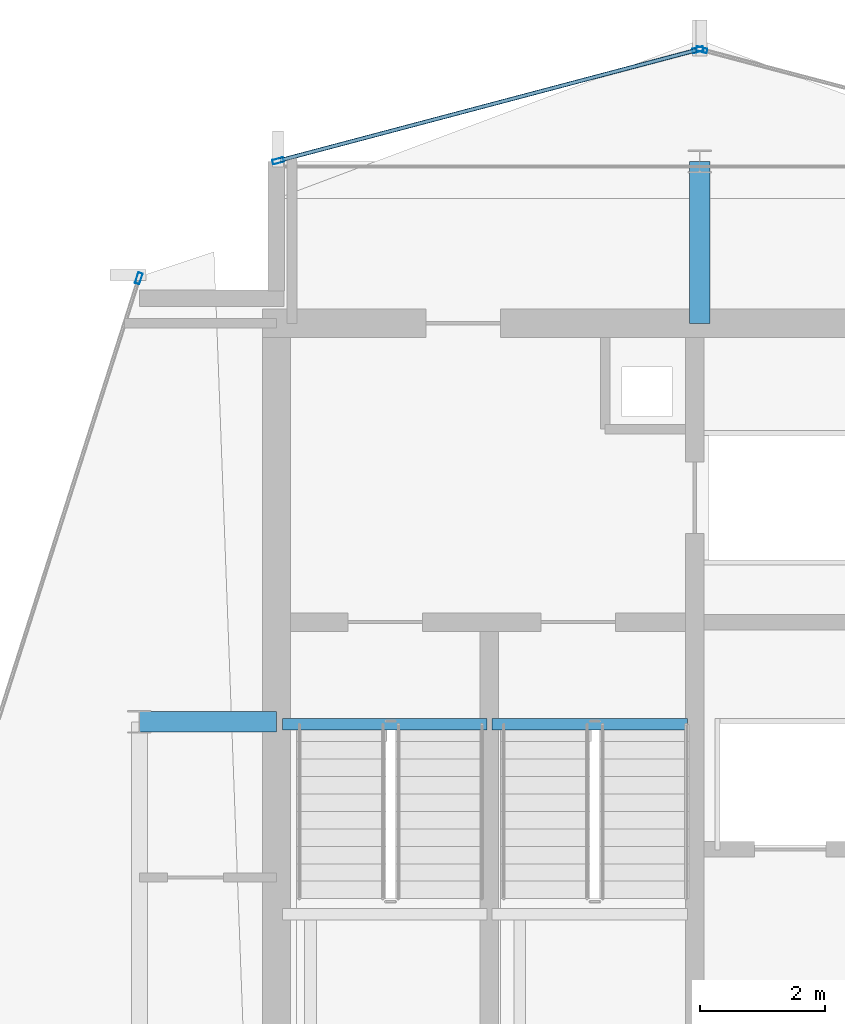
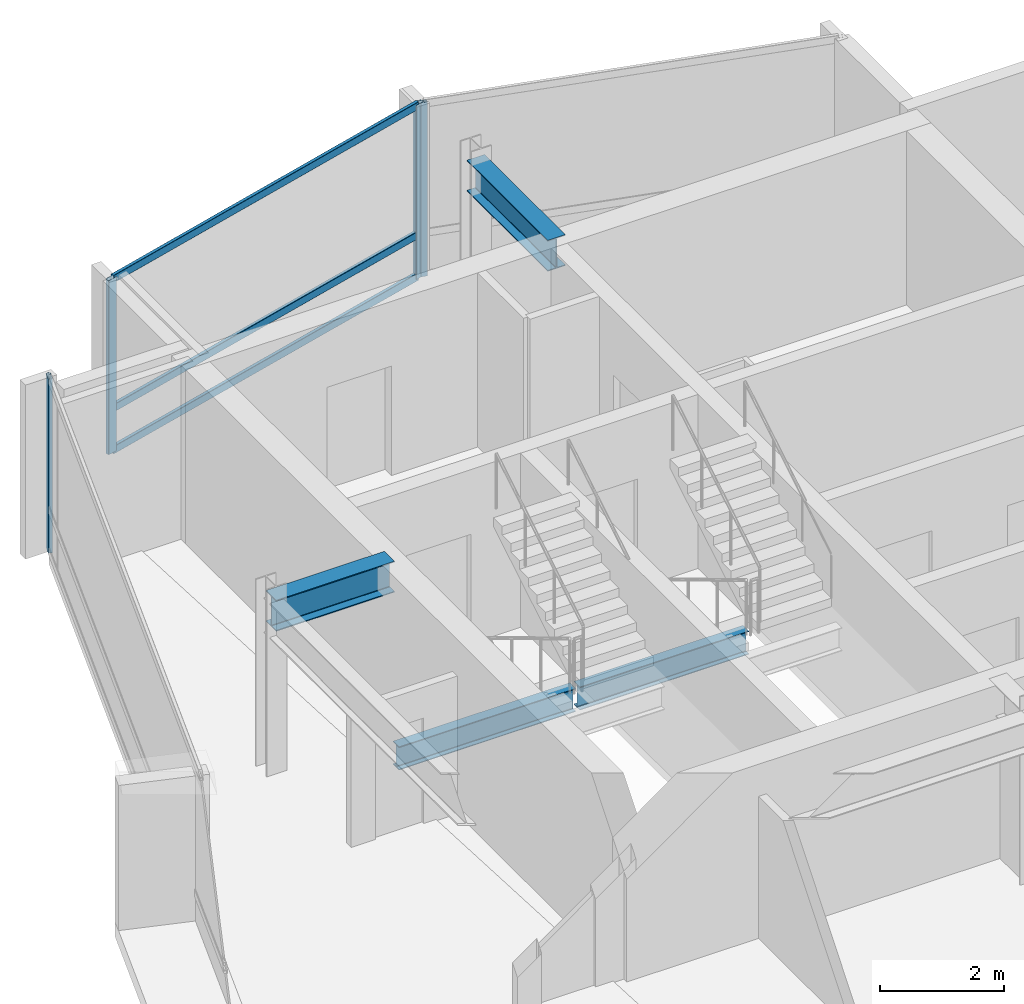
# One storey, part 11 of 19: 7 members, 4 beams, 3 elements without a shape of their own.
"""IFC4 building model written with IfcOpenShell, lengths in metres."""

from ifc_helpers import new_model, si_unit, direction, frame, origin, origin_2d, place, context, subcontext, project, spatial, hollow_rectangle, i_section, extrude, material, layer, layer_set, material_profile, profile_set, type_object, element, aggregate, save


model = new_model("IFC4")

# Units and contexts
model_context = context("Model", 3, precision=1e-05, world=origin(), true_north=direction((0.0, 1.0)))
body_context = subcontext(model_context, "Body", "Model", "MODEL_VIEW")
ifc_project = project(units=[si_unit("LENGTHUNIT", "METRE"), si_unit("AREAUNIT", "SQUARE_METRE"), si_unit("VOLUMEUNIT", "CUBIC_METRE"), si_unit("PLANEANGLEUNIT", "RADIAN"), si_unit("MASSUNIT", "GRAM", prefix="KILO")], contexts=[model_context])

# Site, building, storey
site_placement = place(None, origin())
site = spatial("IfcSite", under=ifc_project, at=site_placement, CompositionType="ELEMENT")
building_placement = place(site_placement, origin())
building = spatial("IfcBuilding", under=site, at=building_placement, Name="Solvaryn Broadcast Tower", CompositionType="ELEMENT")
storey_placement = place(building_placement, frame((0.0, 0.0, 290.0)))
storey = spatial("IfcBuildingStorey", under=building, at=storey_placement, Name="L73", CompositionType="ELEMENT", Elevation=290.0)

# Beams
ifc_material_1 = material(Name="Steel ASTM A992 Grade 50", Category="steel")
ifc_material_profile_1 = material_profile(ifc_material_1, i_section(OverallWidth=0.323974609375, OverallDepth=0.611083984375, WebThickness=0.0126953125, FlangeThickness=0.01904296875, FilletRadius=0.014892578125, at=origin_2d()))
ifc_profile_set_1 = profile_set([ifc_material_profile_1], Name="Steel ASTM A992 Grade 50")
beam_type_1 = type_object("IfcBeamType", Name="BM-B1-W24X104", PredefinedType="BEAM", material=ifc_profile_set_1)
beam_1_placement = place(storey_placement, frame((9.0, 36.0, 3.114501953125), z_axis=(1.0, 0.0, 0.0), x_axis=(0.0, 1.0, 0.0)))
element("IfcBeam", 1, at=beam_1_placement, inside=storey, type_object=beam_type_1, Name="L73 Core Tie Beam CTW1", PredefinedType="BEAM", context=body_context, shape_type="SweptSolid", body=[
    extrude(i_section(OverallWidth=0.323974609375, OverallDepth=0.611083984375, WebThickness=0.0126953125, FlangeThickness=0.01904296875, FilletRadius=0.014892578125, at=origin_2d()), origin(), (0.0, 0.0, 1.0), 2.199951171875),
])
beam_2_placement = place(storey_placement, frame((18.0, 42.39990234375, 3.114501953125), z_axis=(0.0, 1.0, 0.0), x_axis=(-1.0, 0.0, 0.0)))
element("IfcBeam", 2, at=beam_2_placement, inside=storey, type_object=beam_type_1, Name="L73 Core Tie Beam CTW3", PredefinedType="BEAM", context=body_context, shape_type="SweptSolid", body=[
    extrude(i_section(OverallWidth=0.323974609375, OverallDepth=0.611083984375, WebThickness=0.0126953125, FlangeThickness=0.01904296875, FilletRadius=0.014892578125, at=origin_2d()), origin(), (0.0, 0.0, 1.0), 2.60009765625),
])
ifc_material_2 = material(Name="Steel ASTM A992 Grade 50", Category="steel")
ifc_material_profile_2 = material_profile(ifc_material_2, i_section(OverallWidth=0.18994140625, OverallDepth=0.45703125, WebThickness=0.009033203125, FlangeThickness=0.014404296875, FilletRadius=0.011962890625, at=origin_2d()))
ifc_profile_set_2 = profile_set([ifc_material_profile_2], Name="Steel ASTM A992 Grade 50")
beam_type_2 = type_object("IfcBeamType", Name="BM-B4-W18X50", PredefinedType="BEAM", material=ifc_profile_set_2)
beam_3_placement = place(storey_placement, frame((11.300048828125, 35.9599609375, -0.508544921875), z_axis=(1.0, 0.0, 0.0), x_axis=(0.0, 1.0, 0.0)))
element("IfcBeam", 3, at=beam_3_placement, inside=storey, type_object=beam_type_2, Name="L73 ST1 Stair Well Trimmer Beam", PredefinedType="BEAM", context=body_context, shape_type="SweptSolid", body=[
    extrude(i_section(OverallWidth=0.18994140625, OverallDepth=0.45703125, WebThickness=0.009033203125, FlangeThickness=0.014404296875, FilletRadius=0.011962890625, at=origin_2d()), origin(), (0.0, 0.0, 1.0), 3.280029296875),
])
beam_4_placement = place(storey_placement, frame((14.659912109375, 35.9599609375, -0.508544921875), z_axis=(1.0, 0.0, 0.0), x_axis=(0.0, 1.0, 0.0)))
element("IfcBeam", 4, at=beam_4_placement, inside=storey, type_object=beam_type_2, Name="L73 ST2 Stair Well Trimmer Beam", PredefinedType="BEAM", context=body_context, shape_type="SweptSolid", body=[
    extrude(i_section(OverallWidth=0.18994140625, OverallDepth=0.45703125, WebThickness=0.009033203125, FlangeThickness=0.014404296875, FilletRadius=0.011962890625, at=origin_2d()), origin(), (0.0, 0.0, 1.0), 3.14013671875),
])

# Curtain wall, member
ifc_material_3 = material(Name="Aluminium and Terracotta Unitised Curtain Wall", Category="masonry")
ifc_layer = layer(ifc_material_3, 0.199951171875)
ifc_layer_set = layer_set([ifc_layer], Name="CW-SYS2-LOWMID")
curtain_wall_type = type_object("IfcCurtainWallType", Name="CW-SYS2-LOWMID", PredefinedType="NOTDEFINED", material=ifc_layer_set)
curtain_wall_1_placement = place(storey_placement, origin())
curtain_wall_1 = element("IfcCurtainWall", 5, at=curtain_wall_1_placement, inside=storey, type_object=curtain_wall_type, Name="L73 Curtain Wall DR1", PredefinedType="NOTDEFINED")
ifc_material_4 = material(Name="Anodised Aluminium 6063-T6", Category="aluminium")
ifc_material_profile_3 = material_profile(ifc_material_4, hollow_rectangle(XDim=0.074951171875, YDim=0.179931640625, WallThickness=0.00390625, InnerFilletRadius=0.00390625, OuterFilletRadius=0.008056640625, at=origin_2d()))
ifc_profile_set_3 = profile_set([ifc_material_profile_3], Name="Anodised Aluminium 6063-T6")
member_type_1 = type_object("IfcMemberType", Name="CW-MUL-180", PredefinedType="MULLION", material=ifc_profile_set_3)
member_1_placement = place(storey_placement, frame((8.990966796875, 43.120361328125, 0.0), z_axis=(0.0, 0.0, 1.0), x_axis=(0.952794594701, -0.30361564569, 0.0)))
member_1 = element("IfcMember", 6, at=member_1_placement, type_object=member_type_1, Name="CWS2 mullion 1", PredefinedType="MULLION", context=body_context, shape_type="SweptSolid", body=[
    extrude(hollow_rectangle(XDim=0.074951171875, YDim=0.179931640625, WallThickness=0.00390625, InnerFilletRadius=0.00390625, OuterFilletRadius=0.008056640625, at=origin_2d()), origin(), (0.0, 0.0, 1.0), 3.419921875),
])
aggregate(curtain_wall_1, [member_1])

curtain_wall_2_placement = place(storey_placement, origin())
curtain_wall_2 = element("IfcCurtainWall", 7, at=curtain_wall_2_placement, inside=storey, type_object=curtain_wall_type, Name="L73 Curtain Wall NT1", PredefinedType="NOTDEFINED")
member_2_placement = place(storey_placement, frame((18.029052734375, 46.792236328125, 0.0), z_axis=(0.0, 0.0, 1.0), x_axis=(-0.25589256031, -0.966705227863, 0.0)))
member_2 = element("IfcMember", 8, at=member_2_placement, type_object=member_type_1, Name="CWS2 mullion 2", PredefinedType="MULLION", context=body_context, shape_type="SweptSolid", body=[
    extrude(hollow_rectangle(XDim=0.074951171875, YDim=0.179931640625, WallThickness=0.00390625, InnerFilletRadius=0.00390625, OuterFilletRadius=0.008056640625, at=origin_2d()), origin(), (0.0, 0.0, 1.0), 3.419921875),
])
aggregate(curtain_wall_2, [member_2])

# Curtain wall, members
curtain_wall_3_placement = place(storey_placement, origin())
curtain_wall_3 = element("IfcCurtainWall", 9, at=curtain_wall_3_placement, inside=storey, type_object=curtain_wall_type, Name="L73 Curtain Wall NT2", PredefinedType="NOTDEFINED")
member_3_placement = place(storey_placement, frame((17.970947265625, 46.792236328125, 0.0), z_axis=(0.0, 0.0, 1.0), x_axis=(0.25589256031, -0.966705227863, 0.0)))
member_3 = element("IfcMember", 10, at=member_3_placement, type_object=member_type_1, Name="CWS2 mullion 1", PredefinedType="MULLION", context=body_context, shape_type="SweptSolid", body=[
    extrude(hollow_rectangle(XDim=0.074951171875, YDim=0.179931640625, WallThickness=0.00390625, InnerFilletRadius=0.00390625, OuterFilletRadius=0.008056640625, at=origin_2d()), origin(), (0.0, 0.0, 1.0), 3.419921875),
])
member_4_placement = place(storey_placement, frame((11.22900390625, 45.007568359375, 0.0), z_axis=(0.0, 0.0, 1.0), x_axis=(0.25589256031, -0.966705227863, 0.0)))
member_4 = element("IfcMember", 11, at=member_4_placement, type_object=member_type_1, Name="CWS2 mullion 2", PredefinedType="MULLION", context=body_context, shape_type="SweptSolid", body=[
    extrude(hollow_rectangle(XDim=0.074951171875, YDim=0.179931640625, WallThickness=0.00390625, InnerFilletRadius=0.00390625, OuterFilletRadius=0.008056640625, at=origin_2d()), origin(), (0.0, 0.0, 1.0), 3.419921875),
])
ifc_material_5 = material(Name="Anodised Aluminium 6063-T6", Category="aluminium")
ifc_material_profile_4 = material_profile(ifc_material_5, hollow_rectangle(XDim=0.06494140625, YDim=0.14990234375, WallThickness=0.00390625, InnerFilletRadius=0.00390625, OuterFilletRadius=0.008056640625, at=origin_2d()))
ifc_profile_set_4 = profile_set([ifc_material_profile_4], Name="Anodised Aluminium 6063-T6")
member_type_2 = type_object("IfcMemberType", Name="CW-TRN-150", PredefinedType="USERDEFINED", material=ifc_profile_set_4)
member_5_placement = place(storey_placement, frame((17.94189453125, 46.78466796875, 0.030029296875), z_axis=(-0.966703943301, -0.255897413051, 0.0), x_axis=(0.255897413051, -0.966703943301, 0.0)))
member_5 = element("IfcMember", 12, at=member_5_placement, type_object=member_type_2, Name="CWS2 transom 1.1", ObjectType="TRANSOM", PredefinedType="USERDEFINED", context=body_context, shape_type="SweptSolid", body=[
    extrude(hollow_rectangle(XDim=0.06494140625, YDim=0.14990234375, WallThickness=0.00390625, InnerFilletRadius=0.00390625, OuterFilletRadius=0.008056640625, at=origin_2d()), origin(), (0.0, 0.0, 1.0), 6.9140625),
])
member_6_placement = place(storey_placement, frame((17.94189453125, 46.78466796875, 0.85009765625), z_axis=(-0.966703943301, -0.255897413051, 0.0), x_axis=(0.255897413051, -0.966703943301, 0.0)))
member_6 = element("IfcMember", 13, at=member_6_placement, type_object=member_type_2, Name="CWS2 transom 1.2", ObjectType="TRANSOM", PredefinedType="USERDEFINED", context=body_context, shape_type="SweptSolid", body=[
    extrude(hollow_rectangle(XDim=0.06494140625, YDim=0.14990234375, WallThickness=0.00390625, InnerFilletRadius=0.00390625, OuterFilletRadius=0.008056640625, at=origin_2d()), origin(), (0.0, 0.0, 1.0), 6.9140625),
])
member_7_placement = place(storey_placement, frame((17.94189453125, 46.78466796875, 3.389892578125), z_axis=(-0.966703943301, -0.255897413051, 0.0), x_axis=(0.255897413051, -0.966703943301, 0.0)))
member_7 = element("IfcMember", 14, at=member_7_placement, type_object=member_type_2, Name="CWS2 transom 1.3", ObjectType="TRANSOM", PredefinedType="USERDEFINED", context=body_context, shape_type="SweptSolid", body=[
    extrude(hollow_rectangle(XDim=0.06494140625, YDim=0.14990234375, WallThickness=0.00390625, InnerFilletRadius=0.00390625, OuterFilletRadius=0.008056640625, at=origin_2d()), origin(), (0.0, 0.0, 1.0), 6.9140625),
])
aggregate(curtain_wall_3, [member_3, member_4, member_5, member_6, member_7])

save(model, "model.ifc")
